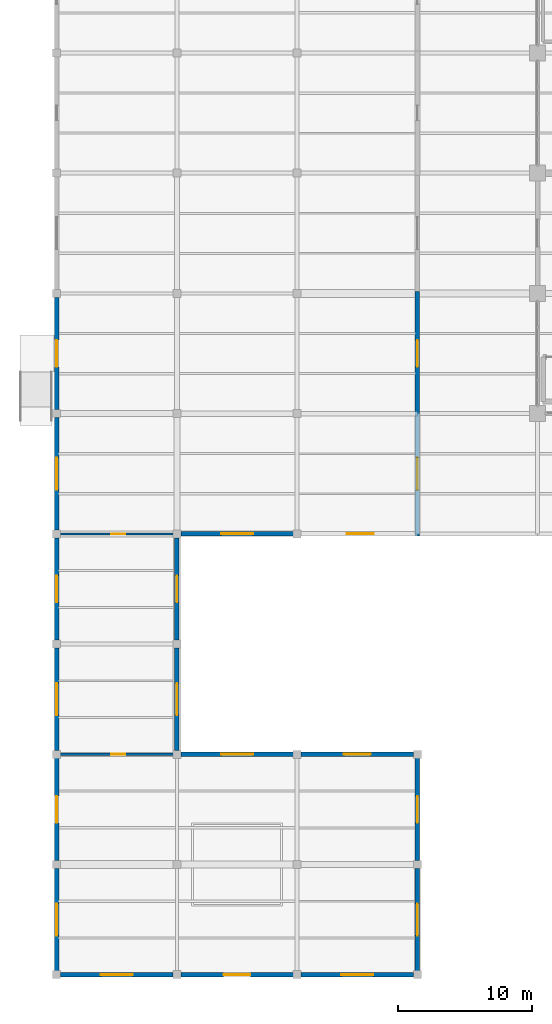
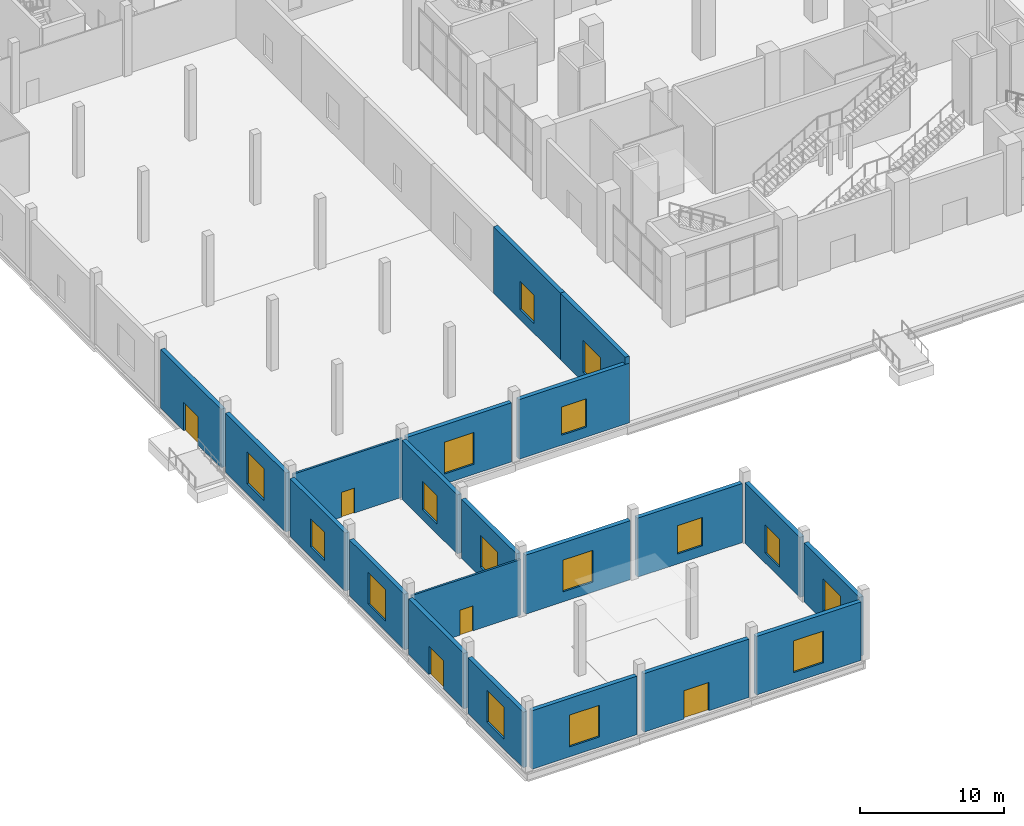
# One storey, part 123 of 144: 21 walls, 16 windows, 5 doors, 21 openings.
"""IFC4 building model written with IfcOpenShell, lengths in metres."""

from ifc_helpers import new_model, si_unit, direction, frame, frame_2d, origin, place, context, subcontext, project, spatial, rectangle, extrude, material, layer, layer_set, type_object, element, fill, save


model = new_model("IFC4")

# Units and contexts
model_context = context("Model", 3, precision=1e-05, world=origin(), true_north=direction((0.0, 1.0)))
body_context = subcontext(model_context, "Body", "Model", "MODEL_VIEW")
ifc_project = project(units=[si_unit("LENGTHUNIT", "METRE"), si_unit("AREAUNIT", "SQUARE_METRE"), si_unit("VOLUMEUNIT", "CUBIC_METRE"), si_unit("PLANEANGLEUNIT", "RADIAN"), si_unit("MASSUNIT", "GRAM", prefix="KILO")], contexts=[model_context])

# Site, building, storey
site_placement = place(None, origin())
site = spatial("IfcSite", under=ifc_project, at=site_placement, CompositionType="ELEMENT")
building_placement = place(site_placement, origin())
building = spatial("IfcBuilding", under=site, at=building_placement, Name="Sundgate Opera House", CompositionType="ELEMENT")
storey_placement = place(building_placement, origin())
storey = spatial("IfcBuildingStorey", under=building, at=storey_placement, Name="L00", CompositionType="ELEMENT", Elevation=0.0)

# Wall, opening, window
ifc_material_1 = material(Name="Komstad limestone ashlar masonry", Category="masonry")
ifc_layer_1 = layer(ifc_material_1, 0.340087890625)
ifc_layer_set_1 = layer_set([ifc_layer_1], Name="Komstad limestone ashlar masonry")
wall_type_1 = type_object("IfcWallType", Name="WL-EXT-COLON-340", PredefinedType="SOLIDWALL", material=ifc_layer_set_1)
wall_1_placement = place(storey_placement, frame((8.705078125, 0.0, 0.0), z_axis=(0.0, 0.0, 1.0), x_axis=(-1.0, 0.0, 0.0)))
wall_1 = element("IfcWall", 1, at=wall_1_placement, inside=storey, type_object=wall_type_1, Name="L00 Harbour Bistro South Wall W0305", PredefinedType="SOLIDWALL", context=body_context, shape_type="SweptSolid", body=[
    extrude(rectangle(XDim=8.41015625, YDim=0.340087890625, at=frame_2d((4.205078125, 0.0))), origin(), (0.0, 0.0, 1.0), 4.965087890625),
])
opening_1_placement = place(wall_1_placement, frame((3.0048828125, 0.0, 0.85009765625)))
opening_1 = element("IfcOpeningElement", 2, at=opening_1_placement, cuts=wall_1, Name="Opening W07", PredefinedType="OPENING", context=body_context, shape_type="SweptSolid", body=[
    extrude(rectangle(XDim=2.39990234375, YDim=2.699951171875, at=frame_2d((1.199951171875, 1.35009765625))), frame((0.0, 0.179931640625, 0.0), z_axis=(0.0, -1.0, 0.0), x_axis=(1.0, 0.0, 0.0)), (0.0, 0.0, 1.0), 0.360107421875),
])
ifc_material_2 = material(Name="Low-iron triple glazing in patinated bronze frame", Category="glass")
window_type_1 = type_object("IfcWindowType", Name="WN-HARB-2400x2700", PartitioningType="SINGLE_PANEL", PredefinedType="WINDOW", material=ifc_material_2)
window_1_placement = place(opening_1_placement, origin())
window_1 = element("IfcWindow", 3, at=window_1_placement, inside=storey, type_object=window_type_1, Name="L00 Harbour Window WN0225", OverallHeight=2.699951171875, OverallWidth=2.39990234375, PartitioningType="SINGLE_PANEL", PredefinedType="WINDOW", context=body_context, shape_type="SweptSolid", body=[
    extrude(rectangle(XDim=2.39990234375, YDim=2.699951171875, at=frame_2d((1.199951171875, 1.35009765625))), frame((0.0, 0.030029296875, 0.0), z_axis=(0.0, -1.0, 0.0), x_axis=(1.0, 0.0, 0.0)), (0.0, 0.0, 1.0), 0.06005859375),
])
fill(opening_1, window_1)

# Wall, opening, door
wall_2_placement = place(storey_placement, frame((17.705078125, 0.0, 0.0), z_axis=(0.0, 0.0, 1.0), x_axis=(-1.0, 0.0, 0.0)))
wall_2 = element("IfcWall", 4, at=wall_2_placement, inside=storey, type_object=wall_type_1, Name="L00 Harbour Bistro South Wall W0306", PredefinedType="SOLIDWALL", context=body_context, shape_type="SweptSolid", body=[
    extrude(rectangle(XDim=8.41015625, YDim=0.340087890625, at=frame_2d((4.205078125, 0.0))), origin(), (0.0, 0.0, 1.0), 4.965087890625),
])
opening_2_placement = place(wall_2_placement, frame((3.205078125, 0.0, 0.0)))
opening_2 = element("IfcOpeningElement", 5, at=opening_2_placement, cuts=wall_2, Name="Opening DE1", PredefinedType="OPENING", context=body_context, shape_type="SweptSolid", body=[
    extrude(rectangle(XDim=2.0, YDim=2.39990234375, at=frame_2d((1.0, 1.199951171875))), frame((0.0, 0.179931640625, 0.0), z_axis=(0.0, -1.0, 0.0), x_axis=(1.0, 0.0, 0.0)), (0.0, 0.0, 1.0), 0.360107421875),
])
ifc_material_3 = material(Name="Patinated bronze and laminated safety glass", Category="glass")
door_type_1 = type_object("IfcDoorType", Name="DR-EXIT-2000x2400", OperationType="NOTDEFINED", PredefinedType="DOOR", material=ifc_material_3)
door_1_placement = place(opening_2_placement, origin())
door_1 = element("IfcDoor", 6, at=door_1_placement, inside=storey, type_object=door_type_1, Name="L00 Final Exit Door E15", OperationType="DOUBLE_DOOR_SINGLE_SWING", OverallHeight=2.39990234375, OverallWidth=2.0, PredefinedType="DOOR", context=body_context, shape_type="SweptSolid", body=[
    extrude(rectangle(XDim=2.0, YDim=2.39990234375, at=frame_2d((1.0, 1.199951171875))), frame((0.0, 0.02490234375, 0.0), z_axis=(0.0, -1.0, 0.0), x_axis=(1.0, 0.0, 0.0)), (0.0, 0.0, 1.0), 0.050048828125),
])
fill(opening_2, door_1)

# Wall, opening, window
wall_3_placement = place(storey_placement, frame((26.705078125, 0.0, 0.0), z_axis=(0.0, 0.0, 1.0), x_axis=(-1.0, 0.0, 0.0)))
wall_3 = element("IfcWall", 7, at=wall_3_placement, inside=storey, type_object=wall_type_1, Name="L00 Harbour Bistro South Wall W0307", PredefinedType="SOLIDWALL", context=body_context, shape_type="SweptSolid", body=[
    extrude(rectangle(XDim=8.41015625, YDim=0.340087890625, at=frame_2d((4.205078125, 0.0))), origin(), (0.0, 0.0, 1.0), 4.965087890625),
])
opening_3_placement = place(wall_3_placement, frame((3.0048828125, 0.0, 0.85009765625)))
opening_3 = element("IfcOpeningElement", 8, at=opening_3_placement, cuts=wall_3, Name="Opening W07", PredefinedType="OPENING", context=body_context, shape_type="SweptSolid", body=[
    extrude(rectangle(XDim=2.39990234375, YDim=2.699951171875, at=frame_2d((1.199951171875, 1.35009765625))), frame((0.0, 0.179931640625, 0.0), z_axis=(0.0, -1.0, 0.0), x_axis=(1.0, 0.0, 0.0)), (0.0, 0.0, 1.0), 0.360107421875),
])
window_2_placement = place(opening_3_placement, origin())
window_2 = element("IfcWindow", 9, at=window_2_placement, inside=storey, type_object=window_type_1, Name="L00 Harbour Window WN0226", OverallHeight=2.699951171875, OverallWidth=2.39990234375, PartitioningType="SINGLE_PANEL", PredefinedType="WINDOW", context=body_context, shape_type="SweptSolid", body=[
    extrude(rectangle(XDim=2.39990234375, YDim=2.699951171875, at=frame_2d((1.199951171875, 1.35009765625))), frame((0.0, 0.030029296875, 0.0), z_axis=(0.0, -1.0, 0.0), x_axis=(1.0, 0.0, 0.0)), (0.0, 0.0, 1.0), 0.06005859375),
])
fill(opening_3, window_2)

wall_4_placement = place(storey_placement, frame((0.0, 0.294921875, 0.0), z_axis=(0.0, 0.0, 1.0), x_axis=(0.0, 1.0, 0.0)))
wall_4 = element("IfcWall", 10, at=wall_4_placement, inside=storey, type_object=wall_type_1, Name="L00 Harbour Bistro West Wall W0308", PredefinedType="SOLIDWALL", context=body_context, shape_type="SweptSolid", body=[
    extrude(rectangle(XDim=7.66015625, YDim=0.340087890625, at=frame_2d((3.830078125, 0.0))), origin(), (0.0, 0.0, 1.0), 4.715087890625),
])
opening_4_placement = place(wall_4_placement, frame((2.6298828125, 0.0, 0.85009765625)))
opening_4 = element("IfcOpeningElement", 11, at=opening_4_placement, cuts=wall_4, Name="Opening W07", PredefinedType="OPENING", context=body_context, shape_type="SweptSolid", body=[
    extrude(rectangle(XDim=2.39990234375, YDim=2.699951171875, at=frame_2d((1.199951171875, 1.35009765625))), frame((0.0, 0.179931640625, 0.0), z_axis=(0.0, -1.0, 0.0), x_axis=(1.0, 0.0, 0.0)), (0.0, 0.0, 1.0), 0.360107421875),
])
window_3_placement = place(opening_4_placement, origin())
window_3 = element("IfcWindow", 12, at=window_3_placement, inside=storey, type_object=window_type_1, Name="L00 Harbour Window WN0227", OverallHeight=2.699951171875, OverallWidth=2.39990234375, PartitioningType="SINGLE_PANEL", PredefinedType="WINDOW", context=body_context, shape_type="SweptSolid", body=[
    extrude(rectangle(XDim=2.39990234375, YDim=2.699951171875, at=frame_2d((1.199951171875, 1.35009765625))), frame((0.0, 0.030029296875, 0.0), z_axis=(0.0, -1.0, 0.0), x_axis=(1.0, 0.0, 0.0)), (0.0, 0.0, 1.0), 0.06005859375),
])
fill(opening_4, window_3)

# Wall, opening, door
wall_5_placement = place(storey_placement, frame((0.0, 8.544921875, 0.0), z_axis=(0.0, 0.0, 1.0), x_axis=(0.0, 1.0, 0.0)))
wall_5 = element("IfcWall", 13, at=wall_5_placement, inside=storey, type_object=wall_type_1, Name="L00 Harbour Bistro West Wall W0309", PredefinedType="SOLIDWALL", context=body_context, shape_type="SweptSolid", body=[
    extrude(rectangle(XDim=7.66015625, YDim=0.340087890625, at=frame_2d((3.830078125, 0.0))), origin(), (0.0, 0.0, 1.0), 4.715087890625),
])
opening_5_placement = place(wall_5_placement, frame((2.830078125, 0.0, 0.0)))
opening_5 = element("IfcOpeningElement", 14, at=opening_5_placement, cuts=wall_5, Name="Opening DE1", PredefinedType="OPENING", context=body_context, shape_type="SweptSolid", body=[
    extrude(rectangle(XDim=2.0, YDim=2.39990234375, at=frame_2d((1.0, 1.199951171875))), frame((0.0, 0.179931640625, 0.0), z_axis=(0.0, -1.0, 0.0), x_axis=(1.0, 0.0, 0.0)), (0.0, 0.0, 1.0), 0.360107421875),
])
door_2_placement = place(opening_5_placement, origin())
door_2 = element("IfcDoor", 15, at=door_2_placement, inside=storey, type_object=door_type_1, Name="L00 Final Exit Door E16", OperationType="DOUBLE_DOOR_SINGLE_SWING", OverallHeight=2.39990234375, OverallWidth=2.0, PredefinedType="DOOR", context=body_context, shape_type="SweptSolid", body=[
    extrude(rectangle(XDim=2.0, YDim=2.39990234375, at=frame_2d((1.0, 1.199951171875))), frame((0.0, 0.02490234375, 0.0), z_axis=(0.0, -1.0, 0.0), x_axis=(1.0, 0.0, 0.0)), (0.0, 0.0, 1.0), 0.050048828125),
])
fill(opening_5, door_2)

# Wall, opening, window
wall_6_placement = place(storey_placement, frame((0.0, 16.794921875, 0.0), z_axis=(0.0, 0.0, 1.0), x_axis=(0.0, 1.0, 0.0)))
wall_6 = element("IfcWall", 16, at=wall_6_placement, inside=storey, type_object=wall_type_1, Name="L00 Harbour Bistro West Wall W0310", PredefinedType="SOLIDWALL", context=body_context, shape_type="SweptSolid", body=[
    extrude(rectangle(XDim=7.66015625, YDim=0.340087890625, at=frame_2d((3.830078125, 0.0))), origin(), (0.0, 0.0, 1.0), 4.715087890625),
])
opening_6_placement = place(wall_6_placement, frame((2.6298828125, 0.0, 0.85009765625)))
opening_6 = element("IfcOpeningElement", 17, at=opening_6_placement, cuts=wall_6, Name="Opening W07", PredefinedType="OPENING", context=body_context, shape_type="SweptSolid", body=[
    extrude(rectangle(XDim=2.39990234375, YDim=2.699951171875, at=frame_2d((1.199951171875, 1.35009765625))), frame((0.0, 0.179931640625, 0.0), z_axis=(0.0, -1.0, 0.0), x_axis=(1.0, 0.0, 0.0)), (0.0, 0.0, 1.0), 0.360107421875),
])
window_4_placement = place(opening_6_placement, origin())
window_4 = element("IfcWindow", 18, at=window_4_placement, inside=storey, type_object=window_type_1, Name="L00 Harbour Window WN0228", OverallHeight=2.699951171875, OverallWidth=2.39990234375, PartitioningType="SINGLE_PANEL", PredefinedType="WINDOW", context=body_context, shape_type="SweptSolid", body=[
    extrude(rectangle(XDim=2.39990234375, YDim=2.699951171875, at=frame_2d((1.199951171875, 1.35009765625))), frame((0.0, 0.030029296875, 0.0), z_axis=(0.0, -1.0, 0.0), x_axis=(1.0, 0.0, 0.0)), (0.0, 0.0, 1.0), 0.06005859375),
])
fill(opening_6, window_4)

wall_7_placement = place(storey_placement, frame((0.0, 25.044921875, 0.0), z_axis=(0.0, 0.0, 1.0), x_axis=(0.0, 1.0, 0.0)))
wall_7 = element("IfcWall", 19, at=wall_7_placement, inside=storey, type_object=wall_type_1, Name="L00 Harbour Bistro West Wall W0311", PredefinedType="SOLIDWALL", context=body_context, shape_type="SweptSolid", body=[
    extrude(rectangle(XDim=7.66015625, YDim=0.340087890625, at=frame_2d((3.830078125, 0.0))), origin(), (0.0, 0.0, 1.0), 4.9150390625),
])
opening_7_placement = place(wall_7_placement, frame((2.830078125, 0.0, 0.85009765625)))
opening_7 = element("IfcOpeningElement", 20, at=opening_7_placement, cuts=wall_7, Name="Opening W08", PredefinedType="OPENING", context=body_context, shape_type="SweptSolid", body=[
    extrude(rectangle(XDim=2.0, YDim=2.39990234375, at=frame_2d((1.0, 1.199951171875))), frame((0.0, 0.179931640625, 0.0), z_axis=(0.0, -1.0, 0.0), x_axis=(1.0, 0.0, 0.0)), (0.0, 0.0, 1.0), 0.360107421875),
])
ifc_material_4 = material(Name="Low-iron triple glazing in patinated bronze frame", Category="glass")
window_type_2 = type_object("IfcWindowType", Name="WN-HARB-2000x2400", PartitioningType="SINGLE_PANEL", PredefinedType="WINDOW", material=ifc_material_4)
window_5_placement = place(opening_7_placement, origin())
window_5 = element("IfcWindow", 21, at=window_5_placement, inside=storey, type_object=window_type_2, Name="L00 Harbour Window WN0229", OverallHeight=2.39990234375, OverallWidth=2.0, PartitioningType="SINGLE_PANEL", PredefinedType="WINDOW", context=body_context, shape_type="SweptSolid", body=[
    extrude(rectangle(XDim=2.0, YDim=2.39990234375, at=frame_2d((1.0, 1.199951171875))), frame((0.0, 0.030029296875, 0.0), z_axis=(0.0, -1.0, 0.0), x_axis=(1.0, 0.0, 0.0)), (0.0, 0.0, 1.0), 0.06005859375),
])
fill(opening_7, window_5)

wall_8_placement = place(storey_placement, frame((0.0, 33.294921875, 0.0), z_axis=(0.0, 0.0, 1.0), x_axis=(0.0, 1.0, 0.0)))
wall_8 = element("IfcWall", 22, at=wall_8_placement, inside=storey, type_object=wall_type_1, Name="L00 Harbour Bistro West Wall W0312", PredefinedType="SOLIDWALL", context=body_context, shape_type="SweptSolid", body=[
    extrude(rectangle(XDim=8.41015625, YDim=0.340087890625, at=frame_2d((4.205078125, 0.0))), origin(), (0.0, 0.0, 1.0), 5.014892578125),
])
opening_8_placement = place(wall_8_placement, frame((3.0048828125, 0.0, 0.85009765625)))
opening_8 = element("IfcOpeningElement", 23, at=opening_8_placement, cuts=wall_8, Name="Opening W07", PredefinedType="OPENING", context=body_context, shape_type="SweptSolid", body=[
    extrude(rectangle(XDim=2.39990234375, YDim=2.699951171875, at=frame_2d((1.199951171875, 1.35009765625))), frame((0.0, 0.179931640625, 0.0), z_axis=(0.0, -1.0, 0.0), x_axis=(1.0, 0.0, 0.0)), (0.0, 0.0, 1.0), 0.360107421875),
])
window_6_placement = place(opening_8_placement, origin())
window_6 = element("IfcWindow", 24, at=window_6_placement, inside=storey, type_object=window_type_1, Name="L00 Harbour Window WN0230", OverallHeight=2.699951171875, OverallWidth=2.39990234375, PartitioningType="SINGLE_PANEL", PredefinedType="WINDOW", context=body_context, shape_type="SweptSolid", body=[
    extrude(rectangle(XDim=2.39990234375, YDim=2.699951171875, at=frame_2d((1.199951171875, 1.35009765625))), frame((0.0, 0.030029296875, 0.0), z_axis=(0.0, -1.0, 0.0), x_axis=(1.0, 0.0, 0.0)), (0.0, 0.0, 1.0), 0.06005859375),
])
fill(opening_8, window_6)

# Wall, opening, door
wall_9_placement = place(storey_placement, frame((0.0, 42.294921875, 0.0), z_axis=(0.0, 0.0, 1.0), x_axis=(0.0, 1.0, 0.0)))
wall_9 = element("IfcWall", 25, at=wall_9_placement, inside=storey, type_object=wall_type_1, Name="L00 Harbour Bistro West Wall W0313", PredefinedType="SOLIDWALL", context=body_context, shape_type="SweptSolid", body=[
    extrude(rectangle(XDim=8.41015625, YDim=0.340087890625, at=frame_2d((4.205078125, 0.0))), origin(), (0.0, 0.0, 1.0), 4.965087890625),
])
opening_9_placement = place(wall_9_placement, frame((3.205078125, 0.0, 0.0)))
opening_9 = element("IfcOpeningElement", 26, at=opening_9_placement, cuts=wall_9, Name="Opening DE1", PredefinedType="OPENING", context=body_context, shape_type="SweptSolid", body=[
    extrude(rectangle(XDim=2.0, YDim=2.39990234375, at=frame_2d((1.0, 1.199951171875))), frame((0.0, 0.179931640625, 0.0), z_axis=(0.0, -1.0, 0.0), x_axis=(1.0, 0.0, 0.0)), (0.0, 0.0, 1.0), 0.360107421875),
])
door_3_placement = place(opening_9_placement, origin())
door_3 = element("IfcDoor", 27, at=door_3_placement, inside=storey, type_object=door_type_1, Name="L00 Final Exit Door E17", OperationType="DOUBLE_DOOR_SINGLE_SWING", OverallHeight=2.39990234375, OverallWidth=2.0, PredefinedType="DOOR", context=body_context, shape_type="SweptSolid", body=[
    extrude(rectangle(XDim=2.0, YDim=2.39990234375, at=frame_2d((1.0, 1.199951171875))), frame((0.0, 0.02490234375, 0.0), z_axis=(0.0, -1.0, 0.0), x_axis=(1.0, 0.0, 0.0)), (0.0, 0.0, 1.0), 0.050048828125),
])
fill(opening_9, door_3)

# Wall, opening, window
wall_10_placement = place(storey_placement, frame((27.0, 0.294921875, 0.0), z_axis=(0.0, 0.0, 1.0), x_axis=(0.0, 1.0, 0.0)))
wall_10 = element("IfcWall", 28, at=wall_10_placement, inside=storey, type_object=wall_type_1, Name="L00 Harbour Bistro East Wall W0315", PredefinedType="SOLIDWALL", context=body_context, shape_type="SweptSolid", body=[
    extrude(rectangle(XDim=7.66015625, YDim=0.340087890625, at=frame_2d((3.830078125, 0.0))), origin(), (0.0, 0.0, 1.0), 5.014892578125),
])
opening_10_placement = place(wall_10_placement, frame((2.6298828125, 0.0, 0.85009765625)))
opening_10 = element("IfcOpeningElement", 29, at=opening_10_placement, cuts=wall_10, Name="Opening W07", PredefinedType="OPENING", context=body_context, shape_type="SweptSolid", body=[
    extrude(rectangle(XDim=2.39990234375, YDim=2.699951171875, at=frame_2d((1.199951171875, 1.35009765625))), frame((0.0, 0.179931640625, 0.0), z_axis=(0.0, -1.0, 0.0), x_axis=(1.0, 0.0, 0.0)), (0.0, 0.0, 1.0), 0.360107421875),
])
window_7_placement = place(opening_10_placement, origin())
window_7 = element("IfcWindow", 30, at=window_7_placement, inside=storey, type_object=window_type_1, Name="L00 Harbour Window WN0232", OverallHeight=2.699951171875, OverallWidth=2.39990234375, PartitioningType="SINGLE_PANEL", PredefinedType="WINDOW", context=body_context, shape_type="SweptSolid", body=[
    extrude(rectangle(XDim=2.39990234375, YDim=2.699951171875, at=frame_2d((1.199951171875, 1.35009765625))), frame((0.0, 0.030029296875, 0.0), z_axis=(0.0, -1.0, 0.0), x_axis=(1.0, 0.0, 0.0)), (0.0, 0.0, 1.0), 0.06005859375),
])
fill(opening_10, window_7)

wall_11_placement = place(storey_placement, frame((27.0, 8.544921875, 0.0), z_axis=(0.0, 0.0, 1.0), x_axis=(0.0, 1.0, 0.0)))
wall_11 = element("IfcWall", 31, at=wall_11_placement, inside=storey, type_object=wall_type_1, Name="L00 Harbour Bistro East Wall W0316", PredefinedType="SOLIDWALL", context=body_context, shape_type="SweptSolid", body=[
    extrude(rectangle(XDim=7.66015625, YDim=0.340087890625, at=frame_2d((3.830078125, 0.0))), origin(), (0.0, 0.0, 1.0), 5.114990234375),
])
opening_11_placement = place(wall_11_placement, frame((2.830078125, 0.0, 0.85009765625)))
opening_11 = element("IfcOpeningElement", 32, at=opening_11_placement, cuts=wall_11, Name="Opening W08", PredefinedType="OPENING", context=body_context, shape_type="SweptSolid", body=[
    extrude(rectangle(XDim=2.0, YDim=2.39990234375, at=frame_2d((1.0, 1.199951171875))), frame((0.0, 0.179931640625, 0.0), z_axis=(0.0, -1.0, 0.0), x_axis=(1.0, 0.0, 0.0)), (0.0, 0.0, 1.0), 0.360107421875),
])
window_8_placement = place(opening_11_placement, origin())
window_8 = element("IfcWindow", 33, at=window_8_placement, inside=storey, type_object=window_type_2, Name="L00 Harbour Window WN0233", OverallHeight=2.39990234375, OverallWidth=2.0, PartitioningType="SINGLE_PANEL", PredefinedType="WINDOW", context=body_context, shape_type="SweptSolid", body=[
    extrude(rectangle(XDim=2.0, YDim=2.39990234375, at=frame_2d((1.0, 1.199951171875))), frame((0.0, 0.030029296875, 0.0), z_axis=(0.0, -1.0, 0.0), x_axis=(1.0, 0.0, 0.0)), (0.0, 0.0, 1.0), 0.06005859375),
])
fill(opening_11, window_8)

wall_12_placement = place(storey_placement, frame((27.0, 32.840087890625, 0.0), z_axis=(0.0, 0.0, 1.0), x_axis=(0.0, 1.0, 0.0)))
wall_12 = element("IfcWall", 34, at=wall_12_placement, inside=storey, type_object=wall_type_1, Name="L00 Harbour Bistro East Wall W0317", PredefinedType="SOLIDWALL", context=body_context, shape_type="SweptSolid", body=[
    extrude(rectangle(XDim=9.31982421875, YDim=0.340087890625, at=frame_2d((4.659912109375, 0.0))), origin(), (0.0, 0.0, 1.0), 5.6650390625),
])
opening_12_placement = place(wall_12_placement, frame((3.4599609375, 0.0, 0.85009765625)))
opening_12 = element("IfcOpeningElement", 35, at=opening_12_placement, cuts=wall_12, Name="Opening W07", PredefinedType="OPENING", context=body_context, shape_type="SweptSolid", body=[
    extrude(rectangle(XDim=2.39990234375, YDim=2.699951171875, at=frame_2d((1.199951171875, 1.35009765625))), frame((0.0, 0.179931640625, 0.0), z_axis=(0.0, -1.0, 0.0), x_axis=(1.0, 0.0, 0.0)), (0.0, 0.0, 1.0), 0.360107421875),
])
window_9_placement = place(opening_12_placement, origin())
window_9 = element("IfcWindow", 36, at=window_9_placement, inside=storey, type_object=window_type_1, Name="L00 Harbour Window WN0234", OverallHeight=2.699951171875, OverallWidth=2.39990234375, PartitioningType="SINGLE_PANEL", PredefinedType="WINDOW", context=body_context, shape_type="SweptSolid", body=[
    extrude(rectangle(XDim=2.39990234375, YDim=2.699951171875, at=frame_2d((1.199951171875, 1.35009765625))), frame((0.0, 0.030029296875, 0.0), z_axis=(0.0, -1.0, 0.0), x_axis=(1.0, 0.0, 0.0)), (0.0, 0.0, 1.0), 0.06005859375),
])
fill(opening_12, window_9)

wall_13_placement = place(storey_placement, frame((27.0, 41.840087890625, 0.0), z_axis=(0.0, 0.0, 1.0), x_axis=(0.0, 1.0, 0.0)))
wall_13 = element("IfcWall", 37, at=wall_13_placement, inside=storey, type_object=wall_type_1, Name="L00 Harbour Bistro East Wall W0318", PredefinedType="SOLIDWALL", context=body_context, shape_type="SweptSolid", body=[
    extrude(rectangle(XDim=9.31982421875, YDim=0.340087890625, at=frame_2d((4.659912109375, 0.0))), origin(), (0.0, 0.0, 1.0), 5.6650390625),
])
opening_13_placement = place(wall_13_placement, frame((3.659912109375, 0.0, 0.85009765625)))
opening_13 = element("IfcOpeningElement", 38, at=opening_13_placement, cuts=wall_13, Name="Opening W08", PredefinedType="OPENING", context=body_context, shape_type="SweptSolid", body=[
    extrude(rectangle(XDim=2.0, YDim=2.39990234375, at=frame_2d((1.0, 1.199951171875))), frame((0.0, 0.179931640625, 0.0), z_axis=(0.0, -1.0, 0.0), x_axis=(1.0, 0.0, 0.0)), (0.0, 0.0, 1.0), 0.360107421875),
])
window_10_placement = place(opening_13_placement, origin())
window_10 = element("IfcWindow", 39, at=window_10_placement, inside=storey, type_object=window_type_2, Name="L00 Harbour Window WN0235", OverallHeight=2.39990234375, OverallWidth=2.0, PartitioningType="SINGLE_PANEL", PredefinedType="WINDOW", context=body_context, shape_type="SweptSolid", body=[
    extrude(rectangle(XDim=2.0, YDim=2.39990234375, at=frame_2d((1.0, 1.199951171875))), frame((0.0, 0.030029296875, 0.0), z_axis=(0.0, -1.0, 0.0), x_axis=(1.0, 0.0, 0.0)), (0.0, 0.0, 1.0), 0.06005859375),
])
fill(opening_13, window_10)

wall_14_placement = place(storey_placement, frame((9.294921875, 16.5, 0.0), z_axis=(0.0, 0.0, 1.0), x_axis=(1.0, 0.0, 0.0)))
wall_14 = element("IfcWall", 40, at=wall_14_placement, inside=storey, type_object=wall_type_1, Name="L00 Harbour Bistro Court_N Wall W0320", PredefinedType="SOLIDWALL", context=body_context, shape_type="SweptSolid", body=[
    extrude(rectangle(XDim=8.41015625, YDim=0.340087890625, at=frame_2d((4.205078125, 0.0))), origin(), (0.0, 0.0, 1.0), 5.014892578125),
])
opening_14_placement = place(wall_14_placement, frame((3.0048828125, 0.0, 0.85009765625)))
opening_14 = element("IfcOpeningElement", 41, at=opening_14_placement, cuts=wall_14, Name="Opening W07", PredefinedType="OPENING", context=body_context, shape_type="SweptSolid", body=[
    extrude(rectangle(XDim=2.39990234375, YDim=2.699951171875, at=frame_2d((1.199951171875, 1.35009765625))), frame((0.0, 0.179931640625, 0.0), z_axis=(0.0, -1.0, 0.0), x_axis=(1.0, 0.0, 0.0)), (0.0, 0.0, 1.0), 0.360107421875),
])
window_11_placement = place(opening_14_placement, origin())
window_11 = element("IfcWindow", 42, at=window_11_placement, inside=storey, type_object=window_type_1, Name="L00 Harbour Window WN0237", OverallHeight=2.699951171875, OverallWidth=2.39990234375, PartitioningType="SINGLE_PANEL", PredefinedType="WINDOW", context=body_context, shape_type="SweptSolid", body=[
    extrude(rectangle(XDim=2.39990234375, YDim=2.699951171875, at=frame_2d((1.199951171875, 1.35009765625))), frame((0.0, 0.030029296875, 0.0), z_axis=(0.0, -1.0, 0.0), x_axis=(1.0, 0.0, 0.0)), (0.0, 0.0, 1.0), 0.06005859375),
])
fill(opening_14, window_11)

wall_15_placement = place(storey_placement, frame((18.294921875, 16.5, 0.0), z_axis=(0.0, 0.0, 1.0), x_axis=(1.0, 0.0, 0.0)))
wall_15 = element("IfcWall", 43, at=wall_15_placement, inside=storey, type_object=wall_type_1, Name="L00 Harbour Bistro Court_N Wall W0321", PredefinedType="SOLIDWALL", context=body_context, shape_type="SweptSolid", body=[
    extrude(rectangle(XDim=8.41015625, YDim=0.340087890625, at=frame_2d((4.205078125, 0.0))), origin(), (0.0, 0.0, 1.0), 5.014892578125),
])
opening_15_placement = place(wall_15_placement, frame((3.205078125, 0.0, 0.85009765625)))
opening_15 = element("IfcOpeningElement", 44, at=opening_15_placement, cuts=wall_15, Name="Opening W08", PredefinedType="OPENING", context=body_context, shape_type="SweptSolid", body=[
    extrude(rectangle(XDim=2.0, YDim=2.39990234375, at=frame_2d((1.0, 1.199951171875))), frame((0.0, 0.179931640625, 0.0), z_axis=(0.0, -1.0, 0.0), x_axis=(1.0, 0.0, 0.0)), (0.0, 0.0, 1.0), 0.360107421875),
])
window_12_placement = place(opening_15_placement, origin())
window_12 = element("IfcWindow", 45, at=window_12_placement, inside=storey, type_object=window_type_2, Name="L00 Harbour Window WN0238", OverallHeight=2.39990234375, OverallWidth=2.0, PartitioningType="SINGLE_PANEL", PredefinedType="WINDOW", context=body_context, shape_type="SweptSolid", body=[
    extrude(rectangle(XDim=2.0, YDim=2.39990234375, at=frame_2d((1.0, 1.199951171875))), frame((0.0, 0.030029296875, 0.0), z_axis=(0.0, -1.0, 0.0), x_axis=(1.0, 0.0, 0.0)), (0.0, 0.0, 1.0), 0.06005859375),
])
fill(opening_15, window_12)

wall_16_placement = place(storey_placement, frame((9.0, 16.794921875, 0.0), z_axis=(0.0, 0.0, 1.0), x_axis=(0.0, 1.0, 0.0)))
wall_16 = element("IfcWall", 46, at=wall_16_placement, inside=storey, type_object=wall_type_1, Name="L00 Harbour Bistro Court_W Wall W0322", PredefinedType="SOLIDWALL", context=body_context, shape_type="SweptSolid", body=[
    extrude(rectangle(XDim=7.66015625, YDim=0.340087890625, at=frame_2d((3.830078125, 0.0))), origin(), (0.0, 0.0, 1.0), 5.014892578125),
])
opening_16_placement = place(wall_16_placement, frame((2.6298828125, 0.0, 0.85009765625)))
opening_16 = element("IfcOpeningElement", 47, at=opening_16_placement, cuts=wall_16, Name="Opening W07", PredefinedType="OPENING", context=body_context, shape_type="SweptSolid", body=[
    extrude(rectangle(XDim=2.39990234375, YDim=2.699951171875, at=frame_2d((1.199951171875, 1.35009765625))), frame((0.0, 0.179931640625, 0.0), z_axis=(0.0, -1.0, 0.0), x_axis=(1.0, 0.0, 0.0)), (0.0, 0.0, 1.0), 0.360107421875),
])
window_13_placement = place(opening_16_placement, origin())
window_13 = element("IfcWindow", 48, at=window_13_placement, inside=storey, type_object=window_type_1, Name="L00 Harbour Window WN0239", OverallHeight=2.699951171875, OverallWidth=2.39990234375, PartitioningType="SINGLE_PANEL", PredefinedType="WINDOW", context=body_context, shape_type="SweptSolid", body=[
    extrude(rectangle(XDim=2.39990234375, YDim=2.699951171875, at=frame_2d((1.199951171875, 1.35009765625))), frame((0.0, 0.030029296875, 0.0), z_axis=(0.0, -1.0, 0.0), x_axis=(1.0, 0.0, 0.0)), (0.0, 0.0, 1.0), 0.06005859375),
])
fill(opening_16, window_13)

wall_17_placement = place(storey_placement, frame((9.0, 25.044921875, 0.0), z_axis=(0.0, 0.0, 1.0), x_axis=(0.0, 1.0, 0.0)))
wall_17 = element("IfcWall", 49, at=wall_17_placement, inside=storey, type_object=wall_type_1, Name="L00 Harbour Bistro Court_W Wall W0323", PredefinedType="SOLIDWALL", context=body_context, shape_type="SweptSolid", body=[
    extrude(rectangle(XDim=7.66015625, YDim=0.340087890625, at=frame_2d((3.830078125, 0.0))), origin(), (0.0, 0.0, 1.0), 5.014892578125),
])
opening_17_placement = place(wall_17_placement, frame((2.830078125, 0.0, 0.85009765625)))
opening_17 = element("IfcOpeningElement", 50, at=opening_17_placement, cuts=wall_17, Name="Opening W08", PredefinedType="OPENING", context=body_context, shape_type="SweptSolid", body=[
    extrude(rectangle(XDim=2.0, YDim=2.39990234375, at=frame_2d((1.0, 1.199951171875))), frame((0.0, 0.179931640625, 0.0), z_axis=(0.0, -1.0, 0.0), x_axis=(1.0, 0.0, 0.0)), (0.0, 0.0, 1.0), 0.360107421875),
])
window_14_placement = place(opening_17_placement, origin())
window_14 = element("IfcWindow", 51, at=window_14_placement, inside=storey, type_object=window_type_2, Name="L00 Harbour Window WN0240", OverallHeight=2.39990234375, OverallWidth=2.0, PartitioningType="SINGLE_PANEL", PredefinedType="WINDOW", context=body_context, shape_type="SweptSolid", body=[
    extrude(rectangle(XDim=2.0, YDim=2.39990234375, at=frame_2d((1.0, 1.199951171875))), frame((0.0, 0.030029296875, 0.0), z_axis=(0.0, -1.0, 0.0), x_axis=(1.0, 0.0, 0.0)), (0.0, 0.0, 1.0), 0.06005859375),
])
fill(opening_17, window_14)

wall_18_placement = place(storey_placement, frame((17.705078125, 33.0, 0.0), z_axis=(0.0, 0.0, 1.0), x_axis=(-1.0, 0.0, 0.0)))
wall_18 = element("IfcWall", 52, at=wall_18_placement, inside=storey, type_object=wall_type_1, Name="L00 Harbour Bistro Court_S Wall W0324", PredefinedType="SOLIDWALL", context=body_context, shape_type="SweptSolid", body=[
    extrude(rectangle(XDim=8.41015625, YDim=0.340087890625, at=frame_2d((4.205078125, 0.0))), origin(), (0.0, 0.0, 1.0), 5.014892578125),
])
opening_18_placement = place(wall_18_placement, frame((3.0048828125, 0.0, 0.85009765625)))
opening_18 = element("IfcOpeningElement", 53, at=opening_18_placement, cuts=wall_18, Name="Opening W07", PredefinedType="OPENING", context=body_context, shape_type="SweptSolid", body=[
    extrude(rectangle(XDim=2.39990234375, YDim=2.699951171875, at=frame_2d((1.199951171875, 1.35009765625))), frame((0.0, 0.179931640625, 0.0), z_axis=(0.0, -1.0, 0.0), x_axis=(1.0, 0.0, 0.0)), (0.0, 0.0, 1.0), 0.360107421875),
])
window_15_placement = place(opening_18_placement, origin())
window_15 = element("IfcWindow", 54, at=window_15_placement, inside=storey, type_object=window_type_1, Name="L00 Harbour Window WN0241", OverallHeight=2.699951171875, OverallWidth=2.39990234375, PartitioningType="SINGLE_PANEL", PredefinedType="WINDOW", context=body_context, shape_type="SweptSolid", body=[
    extrude(rectangle(XDim=2.39990234375, YDim=2.699951171875, at=frame_2d((1.199951171875, 1.35009765625))), frame((0.0, 0.030029296875, 0.0), z_axis=(0.0, -1.0, 0.0), x_axis=(1.0, 0.0, 0.0)), (0.0, 0.0, 1.0), 0.06005859375),
])
fill(opening_18, window_15)

wall_19_placement = place(storey_placement, frame((27.159912109375, 33.0, 0.0), z_axis=(0.0, 0.0, 1.0), x_axis=(-1.0, 0.0, 0.0)))
wall_19 = element("IfcWall", 55, at=wall_19_placement, inside=storey, type_object=wall_type_1, Name="L00 Harbour Bistro Court_S Wall W0325", PredefinedType="SOLIDWALL", context=body_context, shape_type="SweptSolid", body=[
    extrude(rectangle(XDim=8.864990234375, YDim=0.340087890625, at=frame_2d((4.4326171875, 0.0))), origin(), (0.0, 0.0, 1.0), 5.06494140625),
])
opening_19_placement = place(wall_19_placement, frame((3.43310546875, 0.0, 0.85009765625)))
opening_19 = element("IfcOpeningElement", 56, at=opening_19_placement, cuts=wall_19, Name="Opening W08", PredefinedType="OPENING", context=body_context, shape_type="SweptSolid", body=[
    extrude(rectangle(XDim=2.0, YDim=2.39990234375, at=frame_2d((1.0, 1.199951171875))), frame((0.0, 0.179931640625, 0.0), z_axis=(0.0, -1.0, 0.0), x_axis=(1.0, 0.0, 0.0)), (0.0, 0.0, 1.0), 0.360107421875),
])
window_16_placement = place(opening_19_placement, origin())
window_16 = element("IfcWindow", 57, at=window_16_placement, inside=storey, type_object=window_type_2, Name="L00 Harbour Window WN0242", OverallHeight=2.39990234375, OverallWidth=2.0, PartitioningType="SINGLE_PANEL", PredefinedType="WINDOW", context=body_context, shape_type="SweptSolid", body=[
    extrude(rectangle(XDim=2.0, YDim=2.39990234375, at=frame_2d((1.0, 1.199951171875))), frame((0.0, 0.030029296875, 0.0), z_axis=(0.0, -1.0, 0.0), x_axis=(1.0, 0.0, 0.0)), (0.0, 0.0, 1.0), 0.06005859375),
])
fill(opening_19, window_16)

# Wall, opening, door
ifc_material_5 = material(Name="Dressing suite acoustic partition", Category="gypsum")
ifc_layer_2 = layer(ifc_material_5, 0.159912109375)
ifc_layer_set_2 = layer_set([ifc_layer_2], Name="Dressing suite acoustic partition")
wall_type_2 = type_object("IfcWallType", Name="WL-INT-PART-160", PredefinedType="PARTITIONING", material=ifc_layer_set_2)
wall_20_placement = place(storey_placement, frame((0.199951171875, 16.5, 0.0), z_axis=(0.0, 0.0, 1.0), x_axis=(1.0, 0.0, 0.0)))
wall_20 = element("IfcWall", 58, at=wall_20_placement, inside=storey, type_object=wall_type_2, Name="L00 Interior Partition W1017", PredefinedType="PARTITIONING", context=body_context, shape_type="SweptSolid", body=[
    extrude(rectangle(XDim=8.800048828125, YDim=0.159912109375, at=frame_2d((4.39990234375, 0.0))), origin(), (0.0, 0.0, 1.0), 4.715087890625),
])
opening_20_placement = place(wall_20_placement, frame((3.875, 0.0, 0.0)))
opening_20 = element("IfcOpeningElement", 59, at=opening_20_placement, cuts=wall_20, Name="Opening DI08", PredefinedType="OPENING", context=body_context, shape_type="SweptSolid", body=[
    extrude(rectangle(XDim=1.050048828125, YDim=2.1201171875, at=frame_2d((0.52490234375, 1.06005859375))), frame((0.0, 0.08984375, 0.0), z_axis=(0.0, -1.0, 0.0), x_axis=(1.0, 0.0, 0.0)), (0.0, 0.0, 1.0), 0.179931640625),
])
ifc_material_6 = material(Name="Acoustic hardwood timber and steel core", Category="steel")
door_type_2 = type_object("IfcDoorType", Name="DR-ROOM-1050x2120", OperationType="NOTDEFINED", PredefinedType="DOOR", material=ifc_material_6)
door_4_placement = place(opening_20_placement, origin())
door_4 = element("IfcDoor", 60, at=door_4_placement, inside=storey, type_object=door_type_2, Name="L00 Interior Door D0191", OperationType="SINGLE_SWING_LEFT", OverallHeight=2.1201171875, OverallWidth=1.050048828125, PredefinedType="DOOR", context=body_context, shape_type="SweptSolid", body=[
    extrude(rectangle(XDim=1.050048828125, YDim=2.1201171875, at=frame_2d((0.52490234375, 1.06005859375))), frame((0.0, 0.02490234375, 0.0), z_axis=(0.0, -1.0, 0.0), x_axis=(1.0, 0.0, 0.0)), (0.0, 0.0, 1.0), 0.050048828125),
])
fill(opening_20, door_4)

wall_21_placement = place(storey_placement, frame((0.199951171875, 33.0, 0.0), z_axis=(0.0, 0.0, 1.0), x_axis=(1.0, 0.0, 0.0)))
wall_21 = element("IfcWall", 61, at=wall_21_placement, inside=storey, type_object=wall_type_2, Name="L00 Interior Partition W1018", PredefinedType="PARTITIONING", context=body_context, shape_type="SweptSolid", body=[
    extrude(rectangle(XDim=8.800048828125, YDim=0.159912109375, at=frame_2d((4.39990234375, 0.0))), origin(), (0.0, 0.0, 1.0), 5.014892578125),
])
opening_21_placement = place(wall_21_placement, frame((3.875, 0.0, 0.0)))
opening_21 = element("IfcOpeningElement", 62, at=opening_21_placement, cuts=wall_21, Name="Opening DI08", PredefinedType="OPENING", context=body_context, shape_type="SweptSolid", body=[
    extrude(rectangle(XDim=1.050048828125, YDim=2.1201171875, at=frame_2d((0.52490234375, 1.06005859375))), frame((0.0, 0.08984375, 0.0), z_axis=(0.0, -1.0, 0.0), x_axis=(1.0, 0.0, 0.0)), (0.0, 0.0, 1.0), 0.179931640625),
])
door_5_placement = place(opening_21_placement, origin())
door_5 = element("IfcDoor", 63, at=door_5_placement, inside=storey, type_object=door_type_2, Name="L00 Interior Door D0192", OperationType="SINGLE_SWING_RIGHT", OverallHeight=2.1201171875, OverallWidth=1.050048828125, PredefinedType="DOOR", context=body_context, shape_type="SweptSolid", body=[
    extrude(rectangle(XDim=1.050048828125, YDim=2.1201171875, at=frame_2d((0.52490234375, 1.06005859375))), frame((0.0, 0.02490234375, 0.0), z_axis=(0.0, -1.0, 0.0), x_axis=(1.0, 0.0, 0.0)), (0.0, 0.0, 1.0), 0.050048828125),
])
fill(opening_21, door_5)

save(model, "model.ifc")
